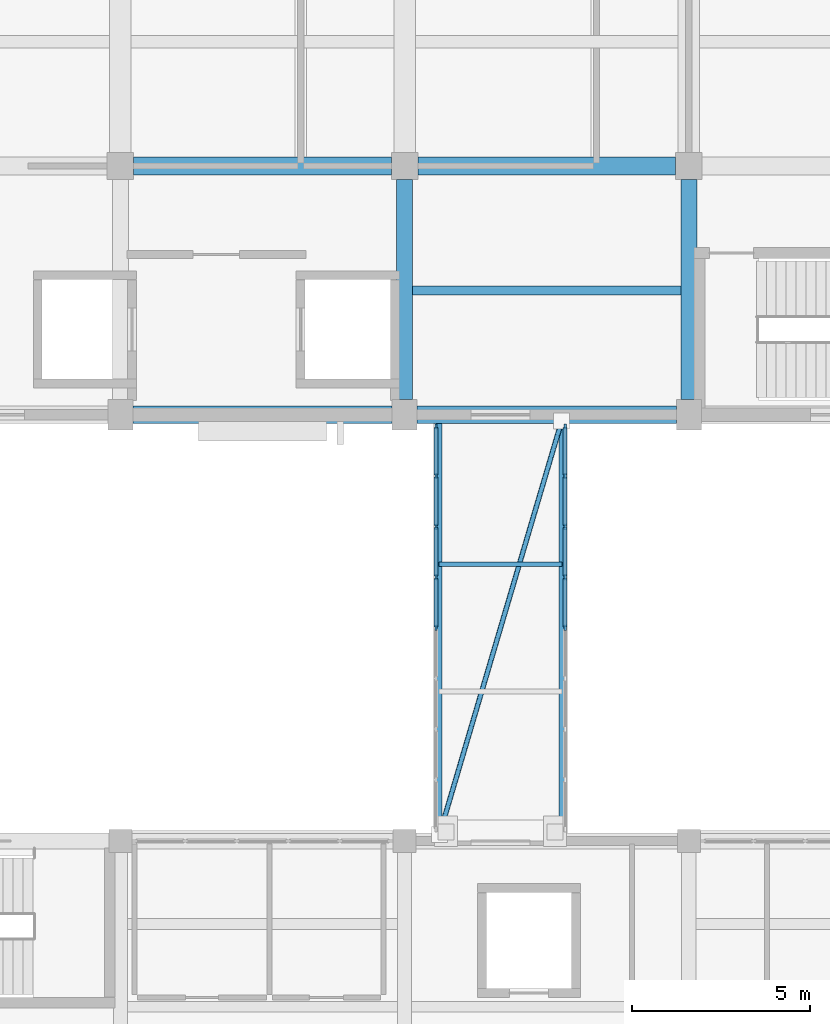
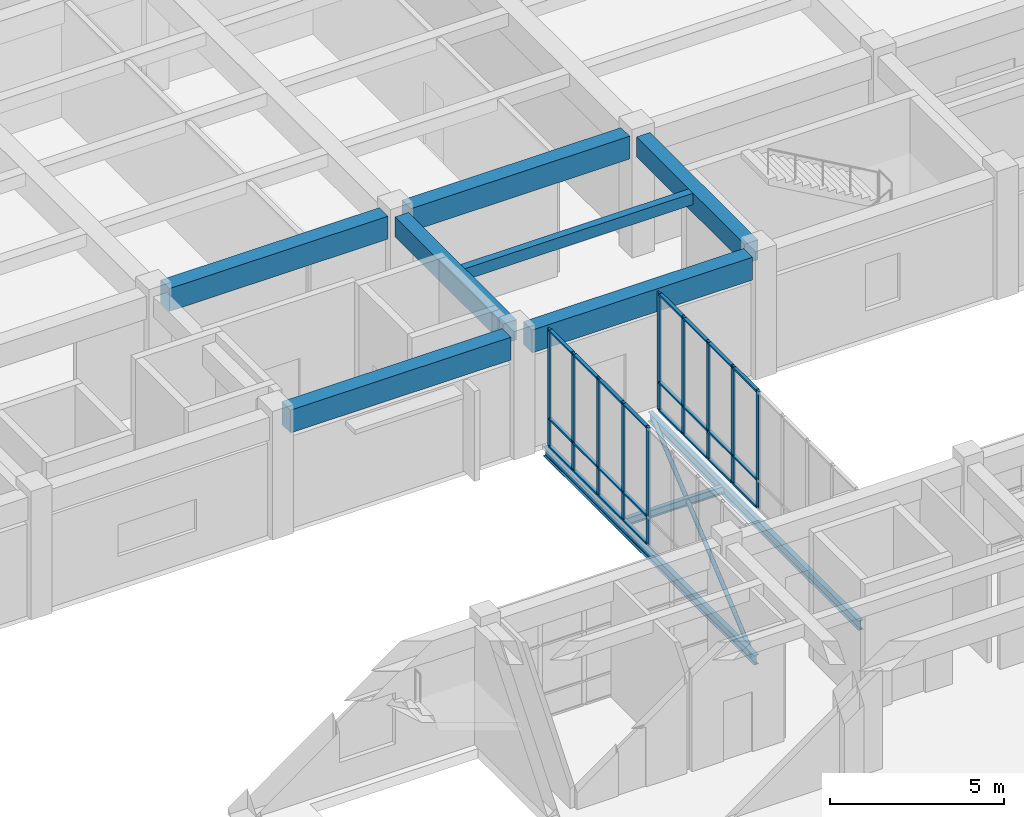
# One storey, part 24 of 70: 35 members, 10 beams, 2 elements without a shape of their own.
"""IFC4 building model written with IfcOpenShell, lengths in metres."""

from ifc_helpers import new_model, si_unit, direction, frame, origin, origin_2d, place, context, subcontext, project, spatial, rectangle, hollow_circle, i_section, extrude, material, layer, layer_set, material_profile, profile_set, type_object, element, aggregate, save


model = new_model("IFC4")

# Units and contexts
model_context = context("Model", 3, precision=1e-05, world=origin(), true_north=direction((0.0, 1.0)))
body_context = subcontext(model_context, "Body", "Model", "MODEL_VIEW")
ifc_project = project(units=[si_unit("LENGTHUNIT", "METRE"), si_unit("AREAUNIT", "SQUARE_METRE"), si_unit("VOLUMEUNIT", "CUBIC_METRE"), si_unit("PLANEANGLEUNIT", "RADIAN"), si_unit("MASSUNIT", "GRAM", prefix="KILO")], contexts=[model_context])

# Site, building, storey
site_placement = place(None, origin())
site = spatial("IfcSite", under=ifc_project, at=site_placement, CompositionType="ELEMENT")
building_placement = place(site_placement, origin())
building = spatial("IfcBuilding", under=site, at=building_placement, Name="Naurynzar Civic Courthouse", CompositionType="ELEMENT")
storey_placement = place(building_placement, frame((0.0, 0.0, 5.39990234375)))
storey = spatial("IfcBuildingStorey", under=building, at=storey_placement, Name="L02", CompositionType="ELEMENT", Elevation=5.39990234375)

# Beams
ifc_material_1 = material(Name="Concrete C40/50", Category="concrete")
ifc_material_profile_1 = material_profile(ifc_material_1, rectangle(XDim=0.25, YDim=0.39990234375, at=origin_2d()), Name="RCB 250x400")
ifc_profile_set_1 = profile_set([ifc_material_profile_1], Name="Concrete C40/50")
beam_type_1 = type_object("IfcBeamType", Name="BM-JST-250x400", PredefinedType="JOIST", material=ifc_profile_set_1)
beam_1_placement = place(storey_placement, frame((93.22509765625, 47.5, 4.0), z_axis=(1.0, 0.0, 0.0), x_axis=(0.0, 1.0, 0.0)))
element("IfcBeam", 1, at=beam_1_placement, inside=storey, type_object=beam_type_1, Name="V2 secondary rib 527 L02", PredefinedType="JOIST", context=body_context, shape_type="SweptSolid", body=[
    extrude(rectangle(XDim=0.25, YDim=0.39990234375, at=origin_2d()), origin(), (0.0, 0.0, 1.0), 7.5498046875),
])
ifc_material_2 = material(Name="Concrete C40/50", Category="concrete")
ifc_material_profile_2 = material_profile(ifc_material_2, rectangle(XDim=0.449951171875, YDim=0.699951171875, at=origin_2d()), Name="RCB 450x700")
ifc_profile_set_2 = profile_set([ifc_material_profile_2], Name="Concrete C40/50")
beam_type_2 = type_object("IfcBeamType", Name="BM-RC-450x700", PredefinedType="BEAM", material=ifc_profile_set_2)
for number, where, z_axis, x_axis, name in (
    (2, (93.0, 44.425048828125, 3.85009765625), (0.0, 1.0, 0.0), (-1.0, 0.0, 0.0), "V2 girder Y-511 L02"),
    (3, (101.0, 44.425048828125, 3.85009765625), (0.0, 1.0, 0.0), (-1.0, 0.0, 0.0), "V2 girder Y-514 L02"),
):
    element("IfcBeam", number, at=place(storey_placement, frame(where, z_axis=z_axis, x_axis=x_axis)), inside=storey, type_object=beam_type_2, Name=name, PredefinedType="BEAM", context=body_context, shape_type="SweptSolid", body=[
        extrude(rectangle(XDim=0.449951171875, YDim=0.699951171875, at=origin_2d()), origin(), (0.0, 0.0, 1.0), 6.199951171875),
    ])
ifc_material_3 = material(Name="Concrete C40/50", Category="concrete")
ifc_material_profile_3 = material_profile(ifc_material_3, rectangle(XDim=0.5, YDim=0.800048828125, at=origin_2d()), Name="RCB 500x800")
ifc_profile_set_3 = profile_set([ifc_material_profile_3], Name="Concrete C40/50")
beam_type_3 = type_object("IfcBeamType", Name="BM-RC-500x800", PredefinedType="BEAM", material=ifc_profile_set_3)
for number, where, z_axis, x_axis, name in (
    (4, (85.35009765625, 44.0, 3.800048828125), (1.0, 0.0, 0.0), (0.0, 1.0, 0.0), "V2 beam X-470 L02"),
    (5, (93.35009765625, 44.0, 3.800048828125), (1.0, 0.0, 0.0), (0.0, 1.0, 0.0), "V2 beam X-471 L02"),
):
    element("IfcBeam", number, at=place(storey_placement, frame(where, z_axis=z_axis, x_axis=x_axis)), inside=storey, type_object=beam_type_3, Name=name, PredefinedType="BEAM", context=body_context, shape_type="SweptSolid", body=[
        extrude(rectangle(XDim=0.5, YDim=0.800048828125, at=origin_2d()), origin(), (0.0, 0.0, 1.0), 7.2998046875),
    ])
for number, where, z_axis, x_axis, name in (
    (6, (85.375, 51.0, 3.800048828125), (1.0, 0.0, 0.0), (0.0, 1.0, 0.0), "V2 beam X-478 L02"),
    (7, (93.375, 51.0, 3.800048828125), (1.0, 0.0, 0.0), (0.0, 1.0, 0.0), "V2 beam X-479 L02"),
):
    element("IfcBeam", number, at=place(storey_placement, frame(where, z_axis=z_axis, x_axis=x_axis)), inside=storey, type_object=beam_type_3, Name=name, PredefinedType="BEAM", context=body_context, shape_type="SweptSolid", body=[
        extrude(rectangle(XDim=0.5, YDim=0.800048828125, at=origin_2d()), origin(), (0.0, 0.0, 1.0), 7.25),
    ])
ifc_material_4 = material(Name="Steel S355", Category="steel")
ifc_material_profile_4 = material_profile(ifc_material_4, i_section(OverallWidth=0.135009765625, OverallDepth=0.27001953125, WebThickness=0.006591796875, FlangeThickness=0.01025390625, FilletRadius=0.014892578125, at=origin_2d()), Name="IPE 270")
ifc_profile_set_4 = profile_set([ifc_material_profile_4], Name="Steel S355")
beam_type_4 = type_object("IfcBeamType", Name="BM-STL-IPE270", PredefinedType="BEAM", material=ifc_profile_set_4)
beam_2_placement = place(storey_placement, frame((93.969970703125, 39.7939453125, -0.375), z_axis=(1.0, 0.0, 0.0), x_axis=(0.0, 1.0, 0.0)))
element("IfcBeam", 8, at=beam_2_placement, inside=storey, type_object=beam_type_4, Name="BR-C1 deck cross-beam L02.2", PredefinedType="BEAM", context=body_context, shape_type="SweptSolid", body=[
    extrude(i_section(OverallWidth=0.135009765625, OverallDepth=0.27001953125, WebThickness=0.006591796875, FlangeThickness=0.01025390625, FilletRadius=0.014892578125, at=origin_2d()), origin(), (0.0, 0.0, 1.0), 3.4599609375),
])
ifc_material_5 = material(Name="Steel S355", Category="steel")
ifc_material_profile_5 = material_profile(ifc_material_5, i_section(OverallWidth=0.159912109375, OverallDepth=0.330078125, WebThickness=0.007568359375, FlangeThickness=0.011474609375, FilletRadius=0.01806640625, at=origin_2d()), Name="IPE 330")
ifc_profile_set_5 = profile_set([ifc_material_profile_5], Name="Steel S355")
beam_type_5 = type_object("IfcBeamType", Name="BM-STL-IPE330", PredefinedType="BEAM", material=ifc_profile_set_5)
for number, where, z_axis, x_axis, name in (
    (9, (93.969970703125, 31.949951171875, -0.40478515625), (0.0, 1.0, 0.0), (-1.0, 0.0, 0.0), "BR-C1 edge steel beam L02.1"),
    (10, (97.429931640625, 31.949951171875, -0.40478515625), (0.0, 1.0, 0.0), (-1.0, 0.0, 0.0), "BR-C1 edge steel beam L02.2"),
):
    element("IfcBeam", number, at=place(storey_placement, frame(where, z_axis=z_axis, x_axis=x_axis)), inside=storey, type_object=beam_type_5, Name=name, PredefinedType="BEAM", context=body_context, shape_type="SweptSolid", body=[
        extrude(i_section(OverallWidth=0.159912109375, OverallDepth=0.330078125, WebThickness=0.007568359375, FlangeThickness=0.011474609375, FilletRadius=0.01806640625, at=origin_2d()), origin(), (0.0, 0.0, 1.0), 12.10009765625),
    ])

# Curtain wall, members
ifc_material_6 = material(Name="Aluminium 6063-T6", Category="aluminium")
ifc_layer = layer(ifc_material_6, 0.14990234375)
ifc_layer_set = layer_set([ifc_layer], Name="CW-BRIDGE-1500")
curtain_wall_type = type_object("IfcCurtainWallType", Name="CW-BRIDGE-1500", PredefinedType="USERDEFINED", material=ifc_layer_set)
curtain_wall_1_placement = place(storey_placement, origin())
curtain_wall_1 = element("IfcCurtainWall", 11, at=curtain_wall_1_placement, inside=storey, type_object=curtain_wall_type, Name="BR-C1 glazed bridge screen L02.1", ObjectType="GLAZED BRIDGE SCREEN", PredefinedType="USERDEFINED")
ifc_material_7 = material(Name="Aluminium 6063-T6", Category="aluminium")
ifc_material_profile_6 = material_profile(ifc_material_7, rectangle(XDim=0.06005859375, YDim=0.14990234375, at=origin_2d()), Name="ALU MULLION 60x150")
ifc_profile_set_6 = profile_set([ifc_material_profile_6], Name="Aluminium 6063-T6")
member_type_1 = type_object("IfcMemberType", Name="CWM-60x150", PredefinedType="MULLION", material=ifc_profile_set_6)
member_1_placement = place(storey_placement, frame((93.8798828125, 43.669921875, 0.0), z_axis=(0.0, 0.0, 1.0), x_axis=(1.0, 0.0, 0.0)))
member_1 = element("IfcMember", 12, at=member_1_placement, type_object=member_type_1, Name="CW-03 mullion 1", PredefinedType="MULLION", context=body_context, shape_type="SweptSolid", body=[
    extrude(rectangle(XDim=0.06005859375, YDim=0.14990234375, at=origin_2d()), origin(), (0.0, 0.0, 1.0), 4.1201171875),
])
member_2_placement = place(storey_placement, frame((93.8798828125, 42.27490234375, 0.0), z_axis=(0.0, 0.0, 1.0), x_axis=(1.0, 0.0, 0.0)))
member_2 = element("IfcMember", 13, at=member_2_placement, type_object=member_type_1, Name="CW-03 mullion 2", PredefinedType="MULLION", context=body_context, shape_type="SweptSolid", body=[
    extrude(rectangle(XDim=0.06005859375, YDim=0.14990234375, at=origin_2d()), origin(), (0.0, 0.0, 1.0), 4.1201171875),
])
member_3_placement = place(storey_placement, frame((93.8798828125, 40.85009765625, 0.0), z_axis=(0.0, 0.0, 1.0), x_axis=(1.0, 0.0, 0.0)))
member_3 = element("IfcMember", 14, at=member_3_placement, type_object=member_type_1, Name="CW-03 mullion 3", PredefinedType="MULLION", context=body_context, shape_type="SweptSolid", body=[
    extrude(rectangle(XDim=0.06005859375, YDim=0.14990234375, at=origin_2d()), origin(), (0.0, 0.0, 1.0), 4.1201171875),
])
member_4_placement = place(storey_placement, frame((93.8798828125, 39.425048828125, 0.0), z_axis=(0.0, 0.0, 1.0), x_axis=(1.0, 0.0, 0.0)))
member_4 = element("IfcMember", 15, at=member_4_placement, type_object=member_type_1, Name="CW-03 mullion 4", PredefinedType="MULLION", context=body_context, shape_type="SweptSolid", body=[
    extrude(rectangle(XDim=0.06005859375, YDim=0.14990234375, at=origin_2d()), origin(), (0.0, 0.0, 1.0), 4.1201171875),
])
member_5_placement = place(storey_placement, frame((93.8798828125, 38.0, 0.0), z_axis=(0.0, 0.0, 1.0), x_axis=(1.0, 0.0, 0.0)))
member_5 = element("IfcMember", 16, at=member_5_placement, type_object=member_type_1, Name="CW-03 mullion 5", PredefinedType="MULLION", context=body_context, shape_type="SweptSolid", body=[
    extrude(rectangle(XDim=0.06005859375, YDim=0.14990234375, at=origin_2d()), origin(), (0.0, 0.0, 1.0), 4.1201171875),
])

curtain_wall_2_placement = place(storey_placement, origin())
curtain_wall_2 = element("IfcCurtainWall", 17, at=curtain_wall_2_placement, inside=storey, type_object=curtain_wall_type, Name="BR-C1 glazed bridge screen L02.2", ObjectType="GLAZED BRIDGE SCREEN", PredefinedType="USERDEFINED")
member_6_placement = place(storey_placement, frame((97.52001953125, 38.0, 0.0), z_axis=(0.0, 0.0, 1.0), x_axis=(-1.0, 0.0, 0.0)))
member_6 = element("IfcMember", 18, at=member_6_placement, type_object=member_type_1, Name="CW-03 mullion 5", PredefinedType="MULLION", context=body_context, shape_type="SweptSolid", body=[
    extrude(rectangle(XDim=0.06005859375, YDim=0.14990234375, at=origin_2d()), origin(), (0.0, 0.0, 1.0), 4.1201171875),
])
member_7_placement = place(storey_placement, frame((97.52001953125, 39.425048828125, 0.0), z_axis=(0.0, 0.0, 1.0), x_axis=(-1.0, 0.0, 0.0)))
member_7 = element("IfcMember", 19, at=member_7_placement, type_object=member_type_1, Name="CW-03 mullion 6", PredefinedType="MULLION", context=body_context, shape_type="SweptSolid", body=[
    extrude(rectangle(XDim=0.06005859375, YDim=0.14990234375, at=origin_2d()), origin(), (0.0, 0.0, 1.0), 4.1201171875),
])
member_8_placement = place(storey_placement, frame((97.52001953125, 40.85009765625, 0.0), z_axis=(0.0, 0.0, 1.0), x_axis=(-1.0, 0.0, 0.0)))
member_8 = element("IfcMember", 20, at=member_8_placement, type_object=member_type_1, Name="CW-03 mullion 7", PredefinedType="MULLION", context=body_context, shape_type="SweptSolid", body=[
    extrude(rectangle(XDim=0.06005859375, YDim=0.14990234375, at=origin_2d()), origin(), (0.0, 0.0, 1.0), 4.1201171875),
])
member_9_placement = place(storey_placement, frame((97.52001953125, 42.27490234375, 0.0), z_axis=(0.0, 0.0, 1.0), x_axis=(-1.0, 0.0, 0.0)))
member_9 = element("IfcMember", 21, at=member_9_placement, type_object=member_type_1, Name="CW-03 mullion 8", PredefinedType="MULLION", context=body_context, shape_type="SweptSolid", body=[
    extrude(rectangle(XDim=0.06005859375, YDim=0.14990234375, at=origin_2d()), origin(), (0.0, 0.0, 1.0), 4.1201171875),
])
member_10_placement = place(storey_placement, frame((97.52001953125, 43.669921875, 0.0), z_axis=(0.0, 0.0, 1.0), x_axis=(-1.0, 0.0, 0.0)))
member_10 = element("IfcMember", 22, at=member_10_placement, type_object=member_type_1, Name="CW-03 mullion 9", PredefinedType="MULLION", context=body_context, shape_type="SweptSolid", body=[
    extrude(rectangle(XDim=0.06005859375, YDim=0.14990234375, at=origin_2d()), origin(), (0.0, 0.0, 1.0), 4.1201171875),
])

# Member
ifc_material_8 = material(Name="Aluminium 6063-T6", Category="aluminium")
ifc_material_profile_7 = material_profile(ifc_material_8, rectangle(XDim=0.110107421875, YDim=0.06005859375, at=origin_2d()), Name="ALU TRANSOM 60x110")
ifc_profile_set_7 = profile_set([ifc_material_profile_7], Name="Aluminium 6063-T6")
member_type_2 = type_object("IfcMemberType", Name="CWT-60x110", PredefinedType="USERDEFINED", material=ifc_profile_set_7)
member_11_placement = place(storey_placement, frame((93.8798828125, 43.639892578125, 0.030029296875), z_axis=(0.0, -1.0, 0.0), x_axis=(1.0, 0.0, 0.0)))
member_11 = element("IfcMember", 23, at=member_11_placement, type_object=member_type_2, Name="CW-03 transom 1.1", ObjectType="TRANSOM", PredefinedType="USERDEFINED", context=body_context, shape_type="SweptSolid", body=[
    extrude(rectangle(XDim=0.110107421875, YDim=0.06005859375, at=origin_2d()), origin(), (0.0, 0.0, 1.0), 1.3349609375),
])

member_12_placement = place(storey_placement, frame((93.8798828125, 43.639892578125, 1.0), z_axis=(0.0, -1.0, 0.0), x_axis=(1.0, 0.0, 0.0)))
member_12 = element("IfcMember", 24, at=member_12_placement, type_object=member_type_2, Name="CW-03 transom 1.2", ObjectType="TRANSOM", PredefinedType="USERDEFINED", context=body_context, shape_type="SweptSolid", body=[
    extrude(rectangle(XDim=0.110107421875, YDim=0.06005859375, at=origin_2d()), origin(), (0.0, 0.0, 1.0), 1.3349609375),
])

member_13_placement = place(storey_placement, frame((93.8798828125, 43.639892578125, 4.090087890625), z_axis=(0.0, -1.0, 0.0), x_axis=(1.0, 0.0, 0.0)))
member_13 = element("IfcMember", 25, at=member_13_placement, type_object=member_type_2, Name="CW-03 transom 1.3", ObjectType="TRANSOM", PredefinedType="USERDEFINED", context=body_context, shape_type="SweptSolid", body=[
    extrude(rectangle(XDim=0.110107421875, YDim=0.06005859375, at=origin_2d()), origin(), (0.0, 0.0, 1.0), 1.3349609375),
])

member_14_placement = place(storey_placement, frame((93.8798828125, 42.2451171875, 0.030029296875), z_axis=(0.0, -1.0, 0.0), x_axis=(1.0, 0.0, 0.0)))
member_14 = element("IfcMember", 26, at=member_14_placement, type_object=member_type_2, Name="CW-03 transom 2.1", ObjectType="TRANSOM", PredefinedType="USERDEFINED", context=body_context, shape_type="SweptSolid", body=[
    extrude(rectangle(XDim=0.110107421875, YDim=0.06005859375, at=origin_2d()), origin(), (0.0, 0.0, 1.0), 1.365234375),
])

member_15_placement = place(storey_placement, frame((93.8798828125, 42.2451171875, 1.0), z_axis=(0.0, -1.0, 0.0), x_axis=(1.0, 0.0, 0.0)))
member_15 = element("IfcMember", 27, at=member_15_placement, type_object=member_type_2, Name="CW-03 transom 2.2", ObjectType="TRANSOM", PredefinedType="USERDEFINED", context=body_context, shape_type="SweptSolid", body=[
    extrude(rectangle(XDim=0.110107421875, YDim=0.06005859375, at=origin_2d()), origin(), (0.0, 0.0, 1.0), 1.365234375),
])

member_16_placement = place(storey_placement, frame((93.8798828125, 42.2451171875, 4.090087890625), z_axis=(0.0, -1.0, 0.0), x_axis=(1.0, 0.0, 0.0)))
member_16 = element("IfcMember", 28, at=member_16_placement, type_object=member_type_2, Name="CW-03 transom 2.3", ObjectType="TRANSOM", PredefinedType="USERDEFINED", context=body_context, shape_type="SweptSolid", body=[
    extrude(rectangle(XDim=0.110107421875, YDim=0.06005859375, at=origin_2d()), origin(), (0.0, 0.0, 1.0), 1.365234375),
])

member_17_placement = place(storey_placement, frame((93.8798828125, 40.820068359375, 0.030029296875), z_axis=(0.0, -1.0, 0.0), x_axis=(1.0, 0.0, 0.0)))
member_17 = element("IfcMember", 29, at=member_17_placement, type_object=member_type_2, Name="CW-03 transom 3.1", ObjectType="TRANSOM", PredefinedType="USERDEFINED", context=body_context, shape_type="SweptSolid", body=[
    extrude(rectangle(XDim=0.110107421875, YDim=0.06005859375, at=origin_2d()), origin(), (0.0, 0.0, 1.0), 1.364990234375),
])

member_18_placement = place(storey_placement, frame((93.8798828125, 40.820068359375, 1.0), z_axis=(0.0, -1.0, 0.0), x_axis=(1.0, 0.0, 0.0)))
member_18 = element("IfcMember", 30, at=member_18_placement, type_object=member_type_2, Name="CW-03 transom 3.2", ObjectType="TRANSOM", PredefinedType="USERDEFINED", context=body_context, shape_type="SweptSolid", body=[
    extrude(rectangle(XDim=0.110107421875, YDim=0.06005859375, at=origin_2d()), origin(), (0.0, 0.0, 1.0), 1.364990234375),
])

member_19_placement = place(storey_placement, frame((93.8798828125, 40.820068359375, 4.090087890625), z_axis=(0.0, -1.0, 0.0), x_axis=(1.0, 0.0, 0.0)))
member_19 = element("IfcMember", 31, at=member_19_placement, type_object=member_type_2, Name="CW-03 transom 3.3", ObjectType="TRANSOM", PredefinedType="USERDEFINED", context=body_context, shape_type="SweptSolid", body=[
    extrude(rectangle(XDim=0.110107421875, YDim=0.06005859375, at=origin_2d()), origin(), (0.0, 0.0, 1.0), 1.364990234375),
])

member_20_placement = place(storey_placement, frame((93.8798828125, 39.39501953125, 0.030029296875), z_axis=(0.0, -1.0, 0.0), x_axis=(1.0, 0.0, 0.0)))
member_20 = element("IfcMember", 32, at=member_20_placement, type_object=member_type_2, Name="CW-03 transom 4.1", ObjectType="TRANSOM", PredefinedType="USERDEFINED", context=body_context, shape_type="SweptSolid", body=[
    extrude(rectangle(XDim=0.110107421875, YDim=0.06005859375, at=origin_2d()), origin(), (0.0, 0.0, 1.0), 1.364990234375),
])

member_21_placement = place(storey_placement, frame((93.8798828125, 39.39501953125, 1.0), z_axis=(0.0, -1.0, 0.0), x_axis=(1.0, 0.0, 0.0)))
member_21 = element("IfcMember", 33, at=member_21_placement, type_object=member_type_2, Name="CW-03 transom 4.2", ObjectType="TRANSOM", PredefinedType="USERDEFINED", context=body_context, shape_type="SweptSolid", body=[
    extrude(rectangle(XDim=0.110107421875, YDim=0.06005859375, at=origin_2d()), origin(), (0.0, 0.0, 1.0), 1.364990234375),
])

member_22_placement = place(storey_placement, frame((93.8798828125, 39.39501953125, 4.090087890625), z_axis=(0.0, -1.0, 0.0), x_axis=(1.0, 0.0, 0.0)))
member_22 = element("IfcMember", 34, at=member_22_placement, type_object=member_type_2, Name="CW-03 transom 4.3", ObjectType="TRANSOM", PredefinedType="USERDEFINED", context=body_context, shape_type="SweptSolid", body=[
    extrude(rectangle(XDim=0.110107421875, YDim=0.06005859375, at=origin_2d()), origin(), (0.0, 0.0, 1.0), 1.364990234375),
])

aggregate(curtain_wall_1, [member_1, member_2, member_3, member_4, member_5, member_11, member_12, member_13, member_14, member_15, member_16, member_17, member_18, member_19, member_20, member_21, member_22])

member_23_placement = place(storey_placement, frame((97.52001953125, 38.030029296875, 0.030029296875), z_axis=(0.0, 1.0, 0.0), x_axis=(-1.0, 0.0, 0.0)))
member_23 = element("IfcMember", 35, at=member_23_placement, type_object=member_type_2, Name="CW-03 transom 5.1", ObjectType="TRANSOM", PredefinedType="USERDEFINED", context=body_context, shape_type="SweptSolid", body=[
    extrude(rectangle(XDim=0.110107421875, YDim=0.06005859375, at=origin_2d()), origin(), (0.0, 0.0, 1.0), 1.364990234375),
])

member_24_placement = place(storey_placement, frame((97.52001953125, 38.030029296875, 1.0), z_axis=(0.0, 1.0, 0.0), x_axis=(-1.0, 0.0, 0.0)))
member_24 = element("IfcMember", 36, at=member_24_placement, type_object=member_type_2, Name="CW-03 transom 5.2", ObjectType="TRANSOM", PredefinedType="USERDEFINED", context=body_context, shape_type="SweptSolid", body=[
    extrude(rectangle(XDim=0.110107421875, YDim=0.06005859375, at=origin_2d()), origin(), (0.0, 0.0, 1.0), 1.364990234375),
])

member_25_placement = place(storey_placement, frame((97.52001953125, 38.030029296875, 4.090087890625), z_axis=(0.0, 1.0, 0.0), x_axis=(-1.0, 0.0, 0.0)))
member_25 = element("IfcMember", 37, at=member_25_placement, type_object=member_type_2, Name="CW-03 transom 5.3", ObjectType="TRANSOM", PredefinedType="USERDEFINED", context=body_context, shape_type="SweptSolid", body=[
    extrude(rectangle(XDim=0.110107421875, YDim=0.06005859375, at=origin_2d()), origin(), (0.0, 0.0, 1.0), 1.364990234375),
])

member_26_placement = place(storey_placement, frame((97.52001953125, 39.455078125, 0.030029296875), z_axis=(0.0, 1.0, 0.0), x_axis=(-1.0, 0.0, 0.0)))
member_26 = element("IfcMember", 38, at=member_26_placement, type_object=member_type_2, Name="CW-03 transom 6.1", ObjectType="TRANSOM", PredefinedType="USERDEFINED", context=body_context, shape_type="SweptSolid", body=[
    extrude(rectangle(XDim=0.110107421875, YDim=0.06005859375, at=origin_2d()), origin(), (0.0, 0.0, 1.0), 1.364990234375),
])

member_27_placement = place(storey_placement, frame((97.52001953125, 39.455078125, 1.0), z_axis=(0.0, 1.0, 0.0), x_axis=(-1.0, 0.0, 0.0)))
member_27 = element("IfcMember", 39, at=member_27_placement, type_object=member_type_2, Name="CW-03 transom 6.2", ObjectType="TRANSOM", PredefinedType="USERDEFINED", context=body_context, shape_type="SweptSolid", body=[
    extrude(rectangle(XDim=0.110107421875, YDim=0.06005859375, at=origin_2d()), origin(), (0.0, 0.0, 1.0), 1.364990234375),
])

member_28_placement = place(storey_placement, frame((97.52001953125, 39.455078125, 4.090087890625), z_axis=(0.0, 1.0, 0.0), x_axis=(-1.0, 0.0, 0.0)))
member_28 = element("IfcMember", 40, at=member_28_placement, type_object=member_type_2, Name="CW-03 transom 6.3", ObjectType="TRANSOM", PredefinedType="USERDEFINED", context=body_context, shape_type="SweptSolid", body=[
    extrude(rectangle(XDim=0.110107421875, YDim=0.06005859375, at=origin_2d()), origin(), (0.0, 0.0, 1.0), 1.364990234375),
])

member_29_placement = place(storey_placement, frame((97.52001953125, 40.8798828125, 0.030029296875), z_axis=(0.0, 1.0, 0.0), x_axis=(-1.0, 0.0, 0.0)))
member_29 = element("IfcMember", 41, at=member_29_placement, type_object=member_type_2, Name="CW-03 transom 7.1", ObjectType="TRANSOM", PredefinedType="USERDEFINED", context=body_context, shape_type="SweptSolid", body=[
    extrude(rectangle(XDim=0.110107421875, YDim=0.06005859375, at=origin_2d()), origin(), (0.0, 0.0, 1.0), 1.365234375),
])

member_30_placement = place(storey_placement, frame((97.52001953125, 40.8798828125, 1.0), z_axis=(0.0, 1.0, 0.0), x_axis=(-1.0, 0.0, 0.0)))
member_30 = element("IfcMember", 42, at=member_30_placement, type_object=member_type_2, Name="CW-03 transom 7.2", ObjectType="TRANSOM", PredefinedType="USERDEFINED", context=body_context, shape_type="SweptSolid", body=[
    extrude(rectangle(XDim=0.110107421875, YDim=0.06005859375, at=origin_2d()), origin(), (0.0, 0.0, 1.0), 1.365234375),
])

member_31_placement = place(storey_placement, frame((97.52001953125, 40.8798828125, 4.090087890625), z_axis=(0.0, 1.0, 0.0), x_axis=(-1.0, 0.0, 0.0)))
member_31 = element("IfcMember", 43, at=member_31_placement, type_object=member_type_2, Name="CW-03 transom 7.3", ObjectType="TRANSOM", PredefinedType="USERDEFINED", context=body_context, shape_type="SweptSolid", body=[
    extrude(rectangle(XDim=0.110107421875, YDim=0.06005859375, at=origin_2d()), origin(), (0.0, 0.0, 1.0), 1.365234375),
])

member_32_placement = place(storey_placement, frame((97.52001953125, 42.304931640625, 0.030029296875), z_axis=(0.0, 1.0, 0.0), x_axis=(-1.0, 0.0, 0.0)))
member_32 = element("IfcMember", 44, at=member_32_placement, type_object=member_type_2, Name="CW-03 transom 8.1", ObjectType="TRANSOM", PredefinedType="USERDEFINED", context=body_context, shape_type="SweptSolid", body=[
    extrude(rectangle(XDim=0.110107421875, YDim=0.06005859375, at=origin_2d()), origin(), (0.0, 0.0, 1.0), 1.3349609375),
])

member_33_placement = place(storey_placement, frame((97.52001953125, 42.304931640625, 1.0), z_axis=(0.0, 1.0, 0.0), x_axis=(-1.0, 0.0, 0.0)))
member_33 = element("IfcMember", 45, at=member_33_placement, type_object=member_type_2, Name="CW-03 transom 8.2", ObjectType="TRANSOM", PredefinedType="USERDEFINED", context=body_context, shape_type="SweptSolid", body=[
    extrude(rectangle(XDim=0.110107421875, YDim=0.06005859375, at=origin_2d()), origin(), (0.0, 0.0, 1.0), 1.3349609375),
])

member_34_placement = place(storey_placement, frame((97.52001953125, 42.304931640625, 4.090087890625), z_axis=(0.0, 1.0, 0.0), x_axis=(-1.0, 0.0, 0.0)))
member_34 = element("IfcMember", 46, at=member_34_placement, type_object=member_type_2, Name="CW-03 transom 8.3", ObjectType="TRANSOM", PredefinedType="USERDEFINED", context=body_context, shape_type="SweptSolid", body=[
    extrude(rectangle(XDim=0.110107421875, YDim=0.06005859375, at=origin_2d()), origin(), (0.0, 0.0, 1.0), 1.3349609375),
])

aggregate(curtain_wall_2, [member_6, member_7, member_8, member_9, member_10, member_23, member_24, member_25, member_26, member_27, member_28, member_29, member_30, member_31, member_32, member_33, member_34])

ifc_material_9 = material(Name="Steel S355", Category="steel")
ifc_material_profile_8 = material_profile(ifc_material_9, hollow_circle(Radius=0.06982421875, WallThickness=0.008056640625, at=origin_2d()), Name="CHS 139.7x8")
ifc_profile_set_8 = profile_set([ifc_material_profile_8], Name="Steel S355")
member_type_3 = type_object("IfcMemberType", Name="MEM-BRACE-CHS139", PredefinedType="BRACE", material=ifc_profile_set_8)
member_35_placement = place(storey_placement, frame((93.97998046875, 32.179931640625, -0.40478515625), z_axis=(0.283407524243, 0.95899956997, 0.0), x_axis=(-0.95899956997, 0.283407524243, 0.0)))
element("IfcMember", 47, at=member_35_placement, inside=storey, type_object=member_type_3, Name="BR-C1 wind brace L02.1", PredefinedType="BRACE", context=body_context, shape_type="SweptSolid", body=[
    extrude(hollow_circle(Radius=0.06982421875, WallThickness=0.008056640625, at=origin_2d()), origin(), (0.0, 0.0, 1.0), 12.1376953125),
])

save(model, "model.ifc")
